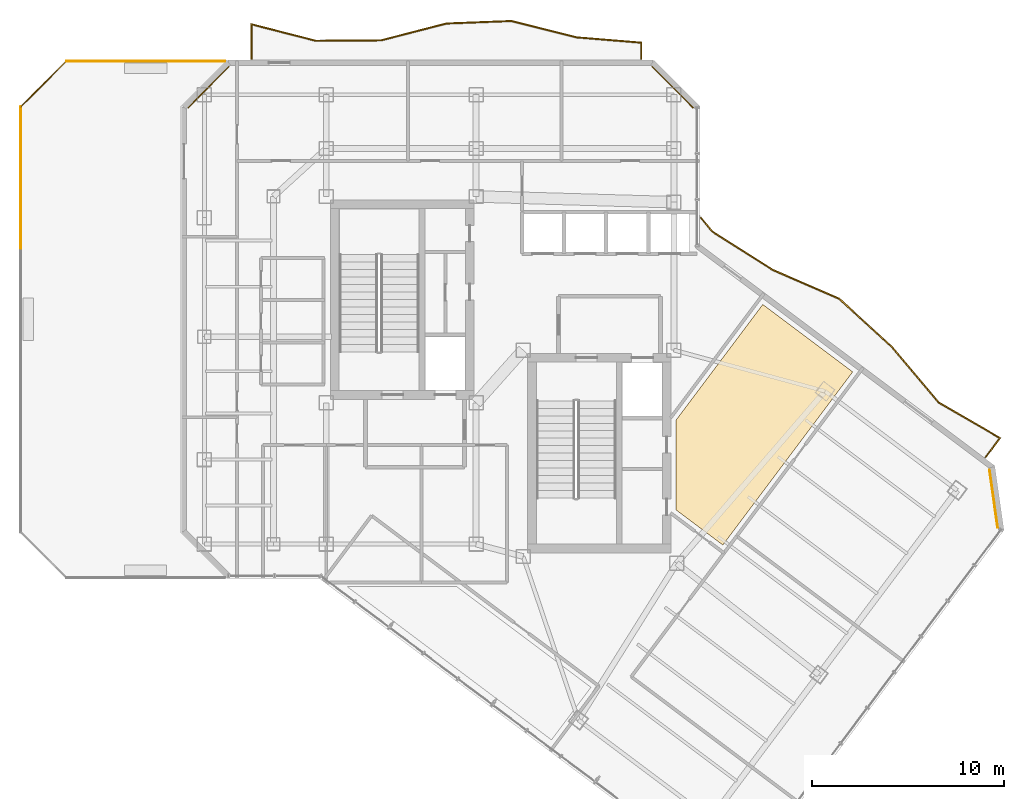
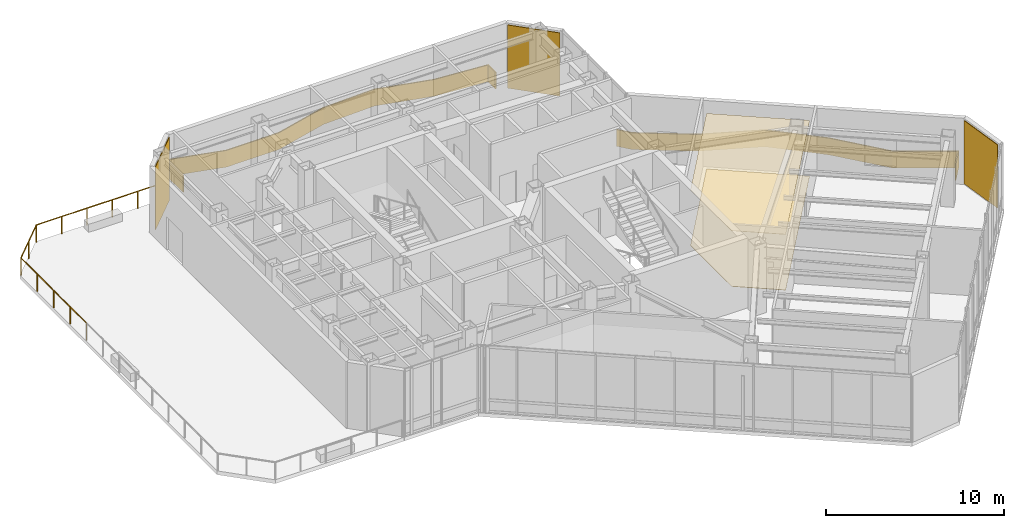
# One storey, part 21 of 21: 13 railings, 5 coverings.
"""IFC4 building model written with IfcOpenShell, lengths in metres."""

from ifc_helpers import new_model, si_unit, direction, frame, origin, origin_2d, place, context, subcontext, project, spatial, polyline, rectangle, circle, outline, extrude, material, layer, layer_set, type_object, element, save


model = new_model("IFC4")

# Units and contexts
model_context = context("Model", 3, precision=1e-05, world=origin(), true_north=direction((0.0, 1.0)))
body_context = subcontext(model_context, "Body", "Model", "MODEL_VIEW")
ifc_project = project(units=[si_unit("LENGTHUNIT", "METRE"), si_unit("AREAUNIT", "SQUARE_METRE"), si_unit("VOLUMEUNIT", "CUBIC_METRE"), si_unit("PLANEANGLEUNIT", "RADIAN"), si_unit("MASSUNIT", "GRAM", prefix="KILO")], contexts=[model_context])

# Site, building, storey
site_placement = place(None, origin())
site = spatial("IfcSite", under=ifc_project, at=site_placement, CompositionType="ELEMENT")
building_placement = place(site_placement, origin())
building = spatial("IfcBuilding", under=site, at=building_placement, Name="Hatsunagi Terrace Concourse", CompositionType="ELEMENT")
storey_placement = place(building_placement, frame((0.0, 0.0, 186.75)))
storey = spatial("IfcBuildingStorey", under=building, at=storey_placement, Name="L49", CompositionType="ELEMENT", Elevation=186.75)

# Covering
ifc_material_1 = material(Name="Acoustic mineral board", Category="gypsum")
ifc_layer_1 = layer(ifc_material_1, 0.02001953125)
ifc_layer_set_1 = layer_set([ifc_layer_1], Name="AcousticMineralCeiling_20")
covering_type_1 = type_object("IfcCoveringType", Name="AcousticMineralCeiling_20", PredefinedType="CEILING", material=ifc_layer_set_1)
covering_1_placement = place(storey_placement, frame((0.0, 0.0, 3.830078125)))
element("IfcCovering", 1, at=covering_1_placement, inside=storey, type_object=covering_type_1, Name="Suspended Ceiling L49-1", PredefinedType="CEILING", context=body_context, shape_type="SweptSolid", body=[
    extrude(outline(polyline([(48.281982421875, 37.676025390625), (43.75, 31.634033203125), (43.75, 26.988037109375), (46.199951171875, 25.14990234375), (52.9619140625, 34.166015625), (48.281982421875, 37.676025390625)])), origin(), (0.0, 0.0, 1.0), 0.02001953125),
])

# Railings
ifc_material_2 = material(Name="Laminated Glass and Stainless Steel Guard", Category="steel")
ifc_layer_2 = layer(ifc_material_2, 0.070068359375)
ifc_layer_set_2 = layer_set([ifc_layer_2], Name="BalconyGlassGuardRail_1150")
railing_type_1 = type_object("IfcRailingType", Name="BalconyGlassGuardRail_1150", PredefinedType="BALUSTRADE", material=ifc_layer_set_2)
railing_1_placement = place(storey_placement, origin())
element("IfcRailing", 2, at=railing_1_placement, inside=storey, type_object=railing_type_1, Name="Engawa Balcony Guard GRD-01 L49-BN-1", PredefinedType="BALUSTRADE", context=body_context, shape_type="SweptSolid", body=[
    extrude(outline(polyline([(21.614990234375, 50.449951171875), (21.68505859375, 50.449951171875), (21.68505859375, 52.222900390625), (24.98974609375, 51.3740234375), (28.41162109375, 51.39697265625), (31.81201171875, 52.274169921875), (35.19140625, 52.40380859375), (38.586181640625, 51.551513671875), (41.9150390625, 51.27783203125), (41.9150390625, 50.449951171875), (41.985107421875, 50.449951171875), (41.985107421875, 51.34228515625), (38.59765625, 51.62060546875), (35.19873046875, 52.47412109375), (31.802001953125, 52.34375), (28.40234375, 51.467041015625), (24.998291015625, 51.444091796875), (21.614990234375, 52.31298828125), (21.614990234375, 50.449951171875)])), origin(), (0.0, 0.0, 1.0), 1.14990234375),
])
railing_2_placement = place(storey_placement, origin())
element("IfcRailing", 3, at=railing_2_placement, inside=storey, type_object=railing_type_1, Name="Engawa Balcony Guard GRD-01 L49-BSE-1", PredefinedType="BALUSTRADE", context=body_context, shape_type="SweptSolid", body=[
    extrude(outline(polyline([(45.072998046875, 42.22314453125), (45.018798828125, 42.1787109375), (45.609619140625, 41.45849609375), (48.758544921875, 39.45703125), (52.24072265625, 37.944091796875), (54.96875, 35.44677734375), (57.42431640625, 32.540771484375), (60.577392578125, 30.71142578125), (59.842041015625, 29.73095703125), (59.89794921875, 29.68896484375), (60.6806640625, 30.732421875), (57.4697265625, 32.59521484375), (55.019287109375, 35.495361328125), (52.279296875, 38.00390625), (48.79150390625, 39.51904296875), (45.656494140625, 41.511474609375), (45.072998046875, 42.22314453125)])), origin(), (0.0, 0.0, 1.0), 1.14990234375),
])

# Covering
ifc_material_3 = material(Name="Granite stone paving", Category="masonry")
ifc_layer_3 = layer(ifc_material_3, 0.02490234375)
ifc_layer_set_3 = layer_set([ifc_layer_3], Name="GraniteStoneFlooring_25")
covering_type_2 = type_object("IfcCoveringType", Name="GraniteStoneFlooring_25", PredefinedType="FLOORING", material=ifc_layer_set_3)
covering_2_placement = place(storey_placement, origin())
element("IfcCovering", 4, at=covering_2_placement, inside=storey, type_object=covering_type_2, Name="Finished Flooring L49-1", PredefinedType="FLOORING", context=body_context, shape_type="SweptSolid", body=[
    extrude(outline(polyline([(48.281982421875, 37.676025390625), (43.75, 31.634033203125), (43.75, 26.988037109375), (46.199951171875, 25.14990234375), (52.9619140625, 34.166015625), (48.281982421875, 37.676025390625)])), origin(), (0.0, 0.0, 1.0), 0.02490234375),
])

# Railings
ifc_material_4 = material(Name="Stainless Steel SUS316 Post-and-Rail Guard", Category="steel")
ifc_layer_4 = layer(ifc_material_4, 0.080078125)
ifc_layer_set_4 = layer_set([ifc_layer_4], Name="TerracePlantedGuardRail_1200")
railing_type_2 = type_object("IfcRailingType", Name="TerracePlantedGuardRail_1200", PredefinedType="GUARDRAIL", material=ifc_layer_set_4)
railing_3_placement = place(storey_placement, frame((9.64990234375, 40.596923828125, 0.010009765625)))
element("IfcRailing", 5, at=railing_3_placement, inside=storey, type_object=railing_type_2, Name="Sky Garden Guardrail GRD-02 TER-L49-1-1 #16", PredefinedType="GUARDRAIL", context=body_context, shape_type="SweptSolid", body=[
    extrude(circle(Radius=0.02392578125, at=origin_2d()), frame((0.0, 0.0, 1.17578125), z_axis=(0.0, 1.0, 0.0), x_axis=(-1.0, 0.0, 0.0)), (0.0, 0.0, 1.0), 1.839111328125),
    extrude(circle(Radius=0.02099609375, at=origin_2d()), origin(), (0.0, 0.0, 1.0), 1.15185546875),
    extrude(circle(Radius=0.02099609375, at=origin_2d()), frame((0.0, 1.839111328125, 0.0)), (0.0, 0.0, 1.0), 1.15185546875),
])
railing_4_placement = place(storey_placement, frame((9.64990234375, 42.444091796875, 0.010009765625)))
element("IfcRailing", 6, at=railing_4_placement, inside=storey, type_object=railing_type_2, Name="Sky Garden Guardrail GRD-02 TER-L49-1-1 #17", PredefinedType="GUARDRAIL", context=body_context, shape_type="SweptSolid", body=[
    extrude(circle(Radius=0.02392578125, at=origin_2d()), frame((0.0, 0.0, 1.17578125), z_axis=(0.0, 1.0, 0.0), x_axis=(-1.0, 0.0, 0.0)), (0.0, 0.0, 1.0), 1.837890625),
    extrude(circle(Radius=0.02099609375, at=origin_2d()), origin(), (0.0, 0.0, 1.0), 1.15185546875),
    extrude(circle(Radius=0.02099609375, at=origin_2d()), frame((0.0, 1.837890625, 0.0)), (0.0, 0.0, 1.0), 1.15185546875),
])
railing_5_placement = place(storey_placement, frame((9.64990234375, 44.2900390625, 0.010009765625)))
element("IfcRailing", 7, at=railing_5_placement, inside=storey, type_object=railing_type_2, Name="Sky Garden Guardrail GRD-02 TER-L49-1-1 #18", PredefinedType="GUARDRAIL", context=body_context, shape_type="SweptSolid", body=[
    extrude(circle(Radius=0.02392578125, at=origin_2d()), frame((0.0, 0.0, 1.17578125), z_axis=(0.0, 1.0, 0.0), x_axis=(-1.0, 0.0, 0.0)), (0.0, 0.0, 1.0), 1.8388671875),
    extrude(circle(Radius=0.02099609375, at=origin_2d()), origin(), (0.0, 0.0, 1.0), 1.15185546875),
    extrude(circle(Radius=0.02099609375, at=origin_2d()), frame((0.0, 1.8388671875, 0.0)), (0.0, 0.0, 1.0), 1.15185546875),
])
railing_6_placement = place(storey_placement, frame((9.64990234375, 46.135986328125, 0.010009765625)))
element("IfcRailing", 8, at=railing_6_placement, inside=storey, type_object=railing_type_2, Name="Sky Garden Guardrail GRD-02 TER-L49-1-1 #19", PredefinedType="GUARDRAIL", context=body_context, shape_type="SweptSolid", body=[
    extrude(circle(Radius=0.02392578125, at=origin_2d()), frame((0.0, 0.0, 1.17578125), z_axis=(0.0, 1.0, 0.0), x_axis=(-1.0, 0.0, 0.0)), (0.0, 0.0, 1.0), 1.843017578125),
    extrude(circle(Radius=0.02099609375, at=origin_2d()), origin(), (0.0, 0.0, 1.0), 1.15185546875),
    extrude(circle(Radius=0.02099609375, at=origin_2d()), frame((0.0, 1.843017578125, 0.0)), (0.0, 0.0, 1.0), 1.15185546875),
])
for number, where, name in (
    (9, (9.64990234375, 47.97900390625, 0.010009765625), "Sky Garden Guardrail GRD-02 TER-L49-1-1 #20"),
    (10, (10.837890625, 49.1669921875, 0.010009765625), "Sky Garden Guardrail GRD-02 TER-L49-1-1 #21"),
):
    element("IfcRailing", number, at=place(storey_placement, frame(where)), inside=storey, type_object=railing_type_2, Name=name, PredefinedType="GUARDRAIL", context=body_context, shape_type="SweptSolid", body=[
        extrude(circle(Radius=0.02392578125, at=origin_2d()), frame((0.0, 0.0, 1.17578125), z_axis=(0.707106781187, 0.707106781187, 0.0), x_axis=(-0.707106781187, 0.707106781187, 0.0)), (0.0, 0.0, 1.0), 1.673095703125),
        extrude(circle(Radius=0.02099609375, at=origin_2d()), origin(), (0.0, 0.0, 1.0), 1.15185546875),
        extrude(circle(Radius=0.02099609375, at=origin_2d()), frame((1.18310546875, 1.18310546875, 0.0)), (0.0, 0.0, 1.0), 1.15185546875),
    ])
railing_7_placement = place(storey_placement, frame((12.02099609375, 50.35009765625, 0.010009765625)))
element("IfcRailing", 11, at=railing_7_placement, inside=storey, type_object=railing_type_2, Name="Sky Garden Guardrail GRD-02 TER-L49-1-1 #22", PredefinedType="GUARDRAIL", context=body_context, shape_type="SweptSolid", body=[
    extrude(circle(Radius=0.02392578125, at=origin_2d()), frame((0.0, 0.0, 1.17578125), z_axis=(1.0, 0.0, 0.0), x_axis=(0.0, 1.0, 0.0)), (0.0, 0.0, 1.0), 1.64404296875),
    extrude(circle(Radius=0.02099609375, at=origin_2d()), origin(), (0.0, 0.0, 1.0), 1.15185546875),
    extrude(circle(Radius=0.02099609375, at=origin_2d()), frame((1.64404296875, 0.0, 0.0)), (0.0, 0.0, 1.0), 1.15185546875),
])
railing_8_placement = place(storey_placement, frame((13.673095703125, 50.35009765625, 0.010009765625)))
element("IfcRailing", 12, at=railing_8_placement, inside=storey, type_object=railing_type_2, Name="Sky Garden Guardrail GRD-02 TER-L49-1-1 #23", PredefinedType="GUARDRAIL", context=body_context, shape_type="SweptSolid", body=[
    extrude(circle(Radius=0.02392578125, at=origin_2d()), frame((0.0, 0.0, 1.17578125), z_axis=(1.0, 0.0, 0.0), x_axis=(0.0, 1.0, 0.0)), (0.0, 0.0, 1.0), 1.639892578125),
    extrude(circle(Radius=0.02099609375, at=origin_2d()), origin(), (0.0, 0.0, 1.0), 1.15185546875),
    extrude(circle(Radius=0.02099609375, at=origin_2d()), frame((1.639892578125, 0.0, 0.0)), (0.0, 0.0, 1.0), 1.15185546875),
])
railing_9_placement = place(storey_placement, frame((15.321044921875, 50.35009765625, 0.010009765625)))
element("IfcRailing", 13, at=railing_9_placement, inside=storey, type_object=railing_type_2, Name="Sky Garden Guardrail GRD-02 TER-L49-1-1 #24", PredefinedType="GUARDRAIL", context=body_context, shape_type="SweptSolid", body=[
    extrude(circle(Radius=0.02392578125, at=origin_2d()), frame((0.0, 0.0, 1.17578125), z_axis=(1.0, 0.0, 0.0), x_axis=(0.0, 1.0, 0.0)), (0.0, 0.0, 1.0), 1.640869140625),
    extrude(circle(Radius=0.02099609375, at=origin_2d()), origin(), (0.0, 0.0, 1.0), 1.15185546875),
    extrude(circle(Radius=0.02099609375, at=origin_2d()), frame((1.640869140625, 0.0, 0.0)), (0.0, 0.0, 1.0), 1.15185546875),
])
railing_10_placement = place(storey_placement, frame((16.969970703125, 50.35009765625, 0.010009765625)))
element("IfcRailing", 14, at=railing_10_placement, inside=storey, type_object=railing_type_2, Name="Sky Garden Guardrail GRD-02 TER-L49-1-1 #25", PredefinedType="GUARDRAIL", context=body_context, shape_type="SweptSolid", body=[
    extrude(circle(Radius=0.02392578125, at=origin_2d()), frame((0.0, 0.0, 1.17578125), z_axis=(1.0, 0.0, 0.0), x_axis=(0.0, 1.0, 0.0)), (0.0, 0.0, 1.0), 1.64013671875),
    extrude(circle(Radius=0.02099609375, at=origin_2d()), origin(), (0.0, 0.0, 1.0), 1.15185546875),
    extrude(circle(Radius=0.02099609375, at=origin_2d()), frame((1.64013671875, 0.0, 0.0)), (0.0, 0.0, 1.0), 1.15185546875),
])
railing_11_placement = place(storey_placement, frame((18.617919921875, 50.35009765625, 0.010009765625)))
element("IfcRailing", 15, at=railing_11_placement, inside=storey, type_object=railing_type_2, Name="Sky Garden Guardrail GRD-02 TER-L49-1-1 #26", PredefinedType="GUARDRAIL", context=body_context, shape_type="SweptSolid", body=[
    extrude(circle(Radius=0.02392578125, at=origin_2d()), frame((0.0, 0.0, 1.17578125), z_axis=(1.0, 0.0, 0.0), x_axis=(0.0, 1.0, 0.0)), (0.0, 0.0, 1.0), 1.64404296875),
    extrude(circle(Radius=0.02099609375, at=origin_2d()), origin(), (0.0, 0.0, 1.0), 1.15185546875),
    extrude(circle(Radius=0.02099609375, at=origin_2d()), frame((1.64404296875, 0.0, 0.0)), (0.0, 0.0, 1.0), 1.15185546875),
])

# Coverings
ifc_material_5 = material(Name="Unglazed Warm Terracotta Rainscreen Tile", Category="masonry")
ifc_layer_5 = layer(ifc_material_5, 0.044921875)
ifc_layer_set_5 = layer_set([ifc_layer_5], Name="TerracottaRainscreenCladding_45")
covering_type_3 = type_object("IfcCoveringType", Name="TerracottaRainscreenCladding_45", PredefinedType="CLADDING", material=ifc_layer_set_5)
for number, where, z_axis, x_axis, name in (
    (16, (60.301025390625, 27.55810546875, 0.099853515625), (0.0, 0.0, 1.0), (0.141250262458, -0.989973920543, 0.0), "Terracotta Rainscreen Cladding L49-02"),
    (17, (19.4140625, 48.986083984375, 0.099853515625), (0.0, 0.0, 1.0), (0.707106781187, 0.707106781187, 0.0), "Terracotta Rainscreen Cladding L49-09"),
    (18, (43.5859375, 48.986083984375, 0.099853515625), (0.0, 0.0, 1.0), (0.707106781187, -0.707106781187, 0.0), "Terracotta Rainscreen Cladding L49-11"),
):
    element("IfcCovering", number, at=place(storey_placement, frame(where, z_axis=z_axis, x_axis=x_axis)), inside=storey, type_object=covering_type_3, Name=name, PredefinedType="CLADDING", context=body_context, shape_type="SweptSolid", body=[
        extrude(rectangle(XDim=3.0380859375, YDim=0.044921875, at=origin_2d()), origin(), (0.0, 0.0, 1.0), 4.35009765625),
    ])

save(model, "model.ifc")
